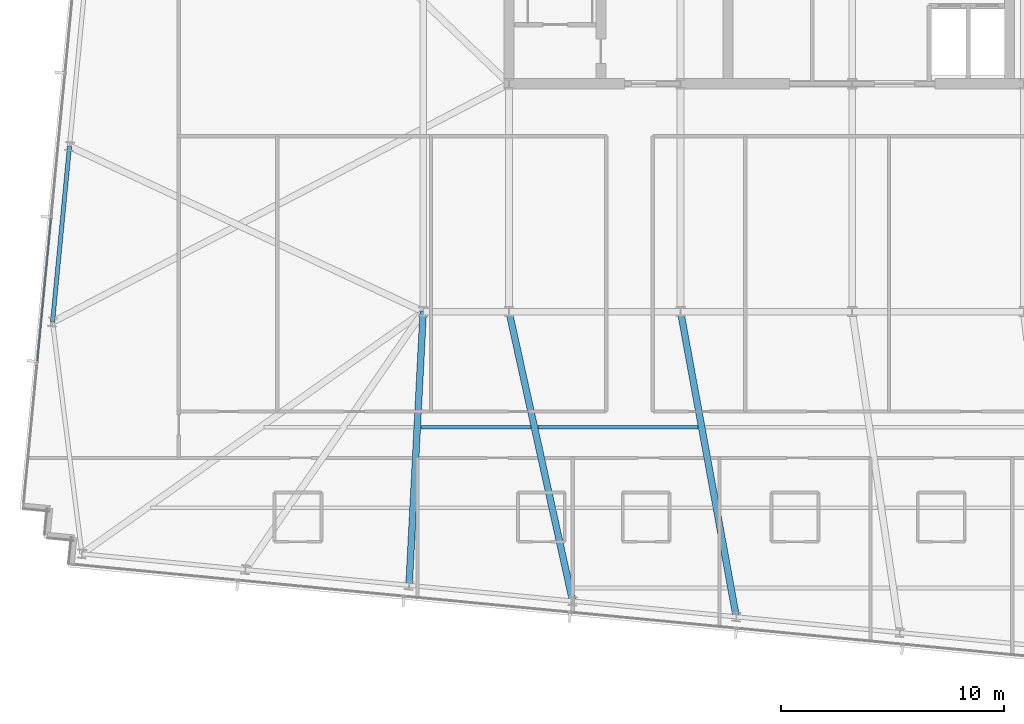
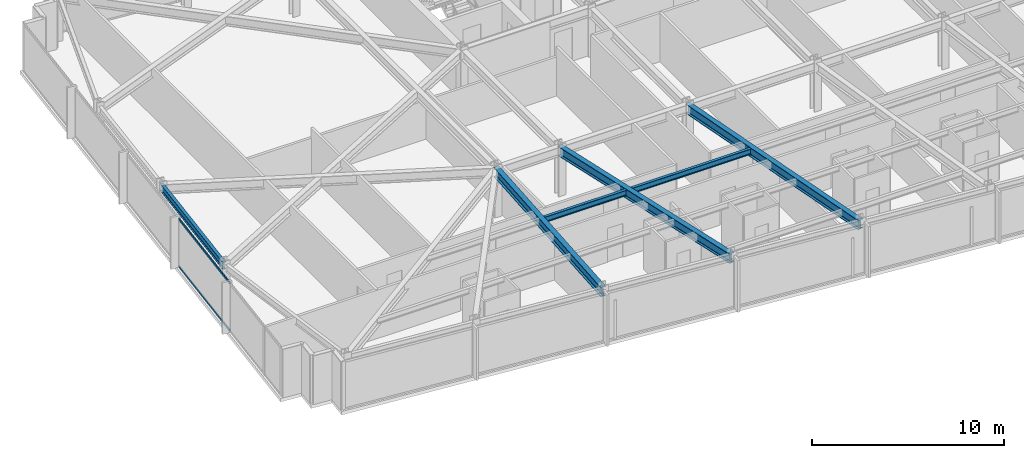
# One storey, part 7 of 36: 6 beams, 2 members, 1 element without a shape of its own.
"""IFC4 building model written with IfcOpenShell, lengths in metres."""

import ifcopenshell
import ifcopenshell.guid

model = None  # the IFC model being written
_history = None  # IfcOwnerHistory: only IFC2X3 demands one
_inside = {}  # id of a spatial element -> (the spatial element, [elements in it])
_under = {}  # id of a project, library or spatial element -> (it, [spatial elements below it])
_declared = {}  # id of a project -> (the project, [libraries it declares])
_typed = {}  # id of a type object -> (the type object, [elements of that type])
_made_of = {}  # id of a material, layer set ... -> (it, [elements and type objects made of it])


def new_model(schema):
    """Start an empty IFC model of exactly this schema.

    Asked for "IFC4X3", IfcOpenShell would pick the latest addendum, in which some entities
    have other attributes; the version numbers below select the first issue.
    IFC2X3 requires an IfcOwnerHistory on every rooted entity: one is made here for all.
    """
    global model, _history
    if schema == "IFC4X3":
        model = ifcopenshell.file(schema_version=(4, 3, 0, 0))
    else:
        model = ifcopenshell.file(schema=schema)
    _inside.clear()
    _under.clear()
    _declared.clear()
    _typed.clear()
    _made_of.clear()
    _history = None
    if model.schema == "IFC2X3":
        org = make("IfcOrganization", Name="unknown")
        user = make(
            "IfcPersonAndOrganization",
            ThePerson=make("IfcPerson", FamilyName="unknown"),
            TheOrganization=org,
        )
        app = make(
            "IfcApplication",
            ApplicationDeveloper=org,
            Version="unknown",
            ApplicationFullName="unknown",
            ApplicationIdentifier="unknown",
        )
        _history = make(
            "IfcOwnerHistory",
            OwningUser=user,
            OwningApplication=app,
            ChangeAction="ADDED",
            CreationDate=0,
        )
    return model


def make(cls, **values):
    """One entity of the class cls with the attributes given. An attribute that is None is left unset."""
    return model.create_entity(
        cls, **{name: value for name, value in values.items() if value is not None}
    )


def rooted(cls, **values):
    """An entity with a GlobalId (a new one), such as an element, a storey or a relation."""
    return make(cls, GlobalId=ifcopenshell.guid.new(), OwnerHistory=_history, **values)


def si_unit(unit_type, name, prefix=None):
    """IfcSIUnit, for example si_unit("LENGTHUNIT", "METRE", prefix="MILLI")."""
    return make("IfcSIUnit", UnitType=unit_type, Prefix=prefix, Name=name)


def assignment(units):
    """IfcUnitAssignment: the units of a project."""
    return None if units is None else make("IfcUnitAssignment", Units=units)


def point(xyz):
    """IfcCartesianPoint."""
    return None if xyz is None else make("IfcCartesianPoint", Coordinates=xyz)


def direction(xyz):
    """IfcDirection."""
    return None if xyz is None else make("IfcDirection", DirectionRatios=xyz)


def frame(location, z_axis=None, x_axis=None):
    """IfcAxis2Placement3D, a coordinate frame: its origin and axes. An axis left out is left unset."""
    return make(
        "IfcAxis2Placement3D",
        Location=point(location),
        Axis=direction(z_axis),
        RefDirection=direction(x_axis),
    )


def frame_2d(location, x_axis=None):
    """IfcAxis2Placement2D, a coordinate frame in the plane: its origin and x axis."""
    return make(
        "IfcAxis2Placement2D", Location=point(location), RefDirection=direction(x_axis)
    )


def origin():
    """The frame at (0, 0, 0) with its axes left unset."""
    return frame((0.0, 0.0, 0.0))


def origin_2d():
    """The frame at (0, 0) in the plane with its x axis left unset."""
    return frame_2d((0.0, 0.0))


def place(relative_to, where):
    """IfcLocalPlacement: puts the frame where relative to a parent placement (None: the world)."""
    return make(
        "IfcLocalPlacement", PlacementRelTo=relative_to, RelativePlacement=where
    )


def context(
    kind, dimensions, precision=None, world=None, true_north=None, identifier=None
):
    """IfcGeometricRepresentationContext, for example the 3D "Model" context."""
    return make(
        "IfcGeometricRepresentationContext",
        ContextIdentifier=identifier,
        ContextType=kind,
        CoordinateSpaceDimension=dimensions,
        Precision=precision,
        WorldCoordinateSystem=world,
        TrueNorth=true_north,
    )


def subcontext(parent, identifier, kind, view, scale=None):
    """IfcGeometricRepresentationSubContext, for example "Body" below "Model"."""
    return make(
        "IfcGeometricRepresentationSubContext",
        ContextIdentifier=identifier,
        ContextType=kind,
        ParentContext=parent,
        TargetScale=scale,
        TargetView=view,
    )


def project(units=None, contexts=None):
    """IfcProject with its units and contexts."""
    return rooted(
        "IfcProject",
        Name="project",
        RepresentationContexts=contexts,
        UnitsInContext=assignment(units),
    )


def spatial(cls, under=None, at=None, **own):
    """A site, building, storey or space (cls), placed at a placement, below another one or the project."""
    s = rooted(cls, ObjectPlacement=at, **own)
    if under is not None:
        _under.setdefault(under.id(), (under, []))[1].append(s)
    return s


def profile(cls, at=None, kind="AREA", **sizes):
    """A parametric profile (cls). Its sizes go by their IFC names, for example OverallWidth=200.0."""
    return make(cls, ProfileType=kind, Position=at, **sizes)


def hollow_rectangle(**sizes):
    """IfcRectangleHollowProfileDef."""
    return profile("IfcRectangleHollowProfileDef", **sizes)


def i_section(**sizes):
    """IfcIShapeProfileDef."""
    return profile("IfcIShapeProfileDef", **sizes)


def extrude(swept, where, along, depth):
    """IfcExtrudedAreaSolid: the profile swept, set in the frame where, extruded along a direction by depth."""
    return make(
        "IfcExtrudedAreaSolid",
        SweptArea=swept,
        Position=where,
        ExtrudedDirection=direction(along),
        Depth=depth,
    )


def shape(context_of_items, identifier, shape_type, items):
    """IfcShapeRepresentation: the items that make up one representation, for example the "Body"."""
    return make(
        "IfcShapeRepresentation",
        ContextOfItems=context_of_items,
        RepresentationIdentifier=identifier,
        RepresentationType=shape_type,
        Items=items,
    )


def material(Name=None, Category=None):
    """IfcMaterial."""
    return make("IfcMaterial", Name=Name, Category=Category)


def material_profile(
    of_material, cross_section, Name=None, Category=None, Priority=None
):
    """IfcMaterialProfile: a cross section and its material."""
    return make(
        "IfcMaterialProfile",
        Name=Name,
        Material=of_material,
        Profile=cross_section,
        Priority=Priority,
        Category=Category,
    )


def profile_set(profiles, Name=None, composite=None):
    """IfcMaterialProfileSet."""
    return make(
        "IfcMaterialProfileSet",
        Name=Name,
        MaterialProfiles=profiles,
        CompositeProfile=composite,
    )


def made_of(thing, what):
    """Note that an element or type object is made of a material, layer set ...; save() writes the relation."""
    if what is not None:
        _made_of.setdefault(what.id(), (what, []))[1].append(thing)
    return thing


def type_object(cls, material=None, **own):
    """A type object (cls), such as IfcWallType, which elements share."""
    return made_of(rooted(cls, **own), material)


def element(
    cls,
    number,
    at=None,
    inside=None,
    cuts=None,
    type_object=None,
    material=None,
    context=None,
    identifier="Body",
    shape_type=None,
    held_by="IfcProductDefinitionShape",
    body=None,
    shapes=None,
    **own,
):
    """One element of the class cls, such as IfcWall. Its Tag is "e" and its number.

    at: its placement. inside: the storey or other place that contains it. cuts: it is an
    opening in that element (IfcRelVoidsElement). A single representation is given by context,
    identifier, shape_type and body (its items); several are given by shapes. held_by: the class
    of the entity that holds the representations. save() writes the other relations.
    """
    e = rooted(cls, Tag="e%d" % number, ObjectPlacement=at, **own)
    if body is not None:
        shapes = [shape(context, identifier, shape_type, body)]
    if shapes is not None:
        e.Representation = make(held_by, Representations=shapes)
    if inside is not None:
        _inside.setdefault(inside.id(), (inside, []))[1].append(e)
    if cuts is not None:
        rooted(
            "IfcRelVoidsElement", RelatingBuildingElement=cuts, RelatedOpeningElement=e
        )
    if type_object is not None:
        _typed.setdefault(type_object.id(), (type_object, []))[1].append(e)
    return made_of(e, material)


def aggregate(whole, parts):
    """IfcRelAggregates: a whole, such as a stair, and the parts it consists of."""
    return rooted("IfcRelAggregates", RelatingObject=whole, RelatedObjects=parts)


def save(model, path):
    """Write the relations noted so far, then the file.

    IfcRelAggregates (storeys below a building ...), IfcRelContainedInSpatialStructure (elements
    in a storey), IfcRelDefinesByType, IfcRelAssociatesMaterial and IfcRelDeclares: one each for
    every whole, place, type object, material and project.
    """
    for whole, parts in _under.values():
        aggregate(whole, parts)
    for where, things in _inside.values():
        rooted(
            "IfcRelContainedInSpatialStructure",
            RelatedElements=things,
            RelatingStructure=where,
        )
    for kind, things in _typed.values():
        rooted("IfcRelDefinesByType", RelatedObjects=things, RelatingType=kind)
    for what, things in _made_of.values():
        rooted("IfcRelAssociatesMaterial", RelatedObjects=things, RelatingMaterial=what)
    for by, libraries in _declared.values():
        rooted("IfcRelDeclares", RelatingContext=by, RelatedDefinitions=libraries)
    model.write(path)


model = new_model("IFC4")

# Units and contexts
model_context = context("Model", 3, precision=1e-05, world=origin(), true_north=direction((0.0, 1.0)))
body_context = subcontext(model_context, "Body", "Model", "MODEL_VIEW")
ifc_project = project(units=[si_unit("LENGTHUNIT", "METRE"), si_unit("AREAUNIT", "SQUARE_METRE"), si_unit("VOLUMEUNIT", "CUBIC_METRE"), si_unit("PLANEANGLEUNIT", "RADIAN"), si_unit("MASSUNIT", "GRAM", prefix="KILO")], contexts=[model_context])

# Site, building, storey
site_placement = place(None, origin())
site = spatial("IfcSite", under=ifc_project, at=site_placement, CompositionType="ELEMENT")
building_placement = place(site_placement, origin())
building = spatial("IfcBuilding", under=site, at=building_placement, Name="Yelkora Congress Tower", CompositionType="ELEMENT")
storey_placement = place(building_placement, frame((0.0, 0.0, 152.300048828125)))
storey = spatial("IfcBuildingStorey", under=building, at=storey_placement, Name="L41", CompositionType="ELEMENT", Elevation=152.300048828125)

# Beams
ifc_material_1 = material(Name="Steel S355J2", Category="steel")
ifc_material_profile_1 = material_profile(ifc_material_1, i_section(OverallWidth=0.300048828125, OverallDepth=0.60009765625, WebThickness=0.015380859375, FlangeThickness=0.030029296875, FilletRadius=0.027099609375, at=origin_2d()), Name="HEB 600")
ifc_profile_set_1 = profile_set([ifc_material_profile_1], Name="Steel S355J2")
beam_type_1 = type_object("IfcBeamType", Name="BM-GIRD-HEB600", PredefinedType="BEAM", material=ifc_profile_set_1)
beam_1_placement = place(storey_placement, frame((18.56591796875, 12.947021484375, 2.780029296875), z_axis=(0.051676299428, 0.99866388744, 0.0), x_axis=(-0.99866388744, 0.051676299428, 0.0)))
element("IfcBeam", 1, at=beam_1_placement, inside=storey, type_object=beam_type_1, Name="L41 Primary Frame Girder S03", PredefinedType="BEAM", context=body_context, shape_type="SweptSolid", body=[
    extrude(i_section(OverallWidth=0.300048828125, OverallDepth=0.60009765625, WebThickness=0.015380859375, FlangeThickness=0.030029296875, FilletRadius=0.027099609375, at=origin_2d()), origin(), (0.0, 0.0, 1.0), 12.269287109375),
])
beam_2_placement = place(storey_placement, frame((25.888916015625, 12.24169921875, 2.780029296875), z_axis=(-0.214722420774, 0.976675115899, 0.0), x_axis=(-0.976675115899, -0.214722420774, 0.0)))
element("IfcBeam", 2, at=beam_2_placement, inside=storey, type_object=beam_type_1, Name="L41 Primary Frame Girder S04", PredefinedType="BEAM", context=body_context, shape_type="SweptSolid", body=[
    extrude(i_section(OverallWidth=0.300048828125, OverallDepth=0.60009765625, WebThickness=0.015380859375, FlangeThickness=0.030029296875, FilletRadius=0.027099609375, at=origin_2d()), origin(), (0.0, 0.0, 1.0), 13.267822265625),
])
beam_3_placement = place(storey_placement, frame((33.21240234375, 11.53662109375, 2.780029296875), z_axis=(-0.179456208566, 0.983765962619, 0.0), x_axis=(-0.983765962619, -0.179456208566, 0.0)))
element("IfcBeam", 3, at=beam_3_placement, inside=storey, type_object=beam_type_1, Name="L41 Primary Frame Girder S05", PredefinedType="BEAM", context=body_context, shape_type="SweptSolid", body=[
    extrude(i_section(OverallWidth=0.300048828125, OverallDepth=0.60009765625, WebThickness=0.015380859375, FlangeThickness=0.030029296875, FilletRadius=0.027099609375, at=origin_2d()), origin(), (0.0, 0.0, 1.0), 13.888916015625),
])
ifc_material_profile_2 = material_profile(ifc_material_1, i_section(OverallWidth=0.169921875, OverallDepth=0.360107421875, WebThickness=0.008056640625, FlangeThickness=0.0126953125, FilletRadius=0.01806640625, at=origin_2d()), Name="IPE 360")
ifc_profile_set_2 = profile_set([ifc_material_profile_2], Name="Steel S355J2")
beam_type_2 = type_object("IfcBeamType", Name="BM-JOIST-IPE360", PredefinedType="JOIST", material=ifc_profile_set_2)
beam_4_placement = place(storey_placement, frame((19.092041015625, 20.021240234375, 2.89990234375), z_axis=(1.0, 0.0, 0.0), x_axis=(0.0, 1.0, 0.0)))
element("IfcBeam", 4, at=beam_4_placement, inside=storey, type_object=beam_type_2, Name="L41 Composite Floor Joist 14", PredefinedType="JOIST", context=body_context, shape_type="SweptSolid", body=[
    extrude(i_section(OverallWidth=0.169921875, OverallDepth=0.360107421875, WebThickness=0.008056640625, FlangeThickness=0.0126953125, FilletRadius=0.01806640625, at=origin_2d()), origin(), (0.0, 0.0, 1.0), 4.926513671875),
])
beam_5_placement = place(storey_placement, frame((24.338623046875, 20.021240234375, 2.89990234375), z_axis=(1.0, 0.0, 0.0), x_axis=(0.0, 1.0, 0.0)))
element("IfcBeam", 5, at=beam_5_placement, inside=storey, type_object=beam_type_2, Name="L41 Composite Floor Joist 15", PredefinedType="JOIST", context=body_context, shape_type="SweptSolid", body=[
    extrude(i_section(OverallWidth=0.169921875, OverallDepth=0.360107421875, WebThickness=0.008056640625, FlangeThickness=0.0126953125, FilletRadius=0.01806640625, at=origin_2d()), origin(), (0.0, 0.0, 1.0), 7.166015625),
])
ifc_material_profile_3 = material_profile(ifc_material_1, i_section(OverallWidth=0.18994140625, OverallDepth=0.449951171875, WebThickness=0.009521484375, FlangeThickness=0.0146484375, FilletRadius=0.02099609375, at=origin_2d()), Name="IPE 450")
ifc_profile_set_3 = profile_set([ifc_material_profile_3], Name="Steel S355J2")
beam_type_3 = type_object("IfcBeamType", Name="BM-SPAN-IPE450", PredefinedType="SPANDREL", material=ifc_profile_set_3)
beam_6_placement = place(storey_placement, frame((3.364501953125, 32.594482421875, 2.85498046875), z_axis=(-0.095831353931, -0.995397584689, 0.0), x_axis=(0.995397584689, -0.095831353931, 0.0)))
element("IfcBeam", 6, at=beam_6_placement, inside=storey, type_object=beam_type_3, Name="L41 Perimeter Beam 18", PredefinedType="SPANDREL", context=body_context, shape_type="SweptSolid", body=[
    extrude(i_section(OverallWidth=0.18994140625, OverallDepth=0.449951171875, WebThickness=0.009521484375, FlangeThickness=0.0146484375, FilletRadius=0.02099609375, at=origin_2d()), origin(), (0.0, 0.0, 1.0), 7.900146484375),
])

# Curtain wall, members
ifc_material_2 = material(Name="Anodised aluminium and insulated glass", Category="aluminium")
curtain_wall_type = type_object("IfcCurtainWallType", Name="CW-SYS-B3", PredefinedType="NOTDEFINED", material=ifc_material_2)
curtain_wall_placement = place(storey_placement, origin())
curtain_wall = element("IfcCurtainWall", 7, at=curtain_wall_placement, inside=storey, type_object=curtain_wall_type, Name="L41 Unitised Curtain Wall 5", PredefinedType="NOTDEFINED")
ifc_material_3 = material(Name="Anodised aluminium 6063-T6", Category="aluminium")
ifc_material_profile_4 = material_profile(ifc_material_3, hollow_rectangle(XDim=0.06005859375, YDim=0.1298828125, WallThickness=0.00390625, at=origin_2d()), Name="ALU 60x130x4")
ifc_profile_set_4 = profile_set([ifc_material_profile_4], Name="Anodised aluminium 6063-T6")
member_type = type_object("IfcMemberType", Name="MEM-TR-B3", PredefinedType="USERDEFINED", material=ifc_profile_set_4)
member_1_placement = place(storey_placement, frame((1.92822265625, 22.996826171875, 0.030029296875), z_axis=(0.095843682057, 0.995396397728, 0.0), x_axis=(-0.995396397728, 0.095843682057, 0.0)))
member_1 = element("IfcMember", 8, at=member_1_placement, type_object=member_type, Name="CW-B3 transom 2.1", ObjectType="TRANSOM", PredefinedType="USERDEFINED", context=body_context, shape_type="SweptSolid", body=[
    extrude(hollow_rectangle(XDim=0.06005859375, YDim=0.1298828125, WallThickness=0.00390625, at=origin_2d()), origin(), (0.0, 0.0, 1.0), 6.4140625),
])
member_2_placement = place(storey_placement, frame((1.92822265625, 22.996826171875, 3.050048828125), z_axis=(0.095843682057, 0.995396397728, 0.0), x_axis=(-0.995396397728, 0.095843682057, 0.0)))
member_2 = element("IfcMember", 9, at=member_2_placement, type_object=member_type, Name="CW-B3 transom 2.2", ObjectType="TRANSOM", PredefinedType="USERDEFINED", context=body_context, shape_type="SweptSolid", body=[
    extrude(hollow_rectangle(XDim=0.06005859375, YDim=0.1298828125, WallThickness=0.00390625, at=origin_2d()), origin(), (0.0, 0.0, 1.0), 6.4140625),
])
aggregate(curtain_wall, [member_1, member_2])

save(model, "model.ifc")
